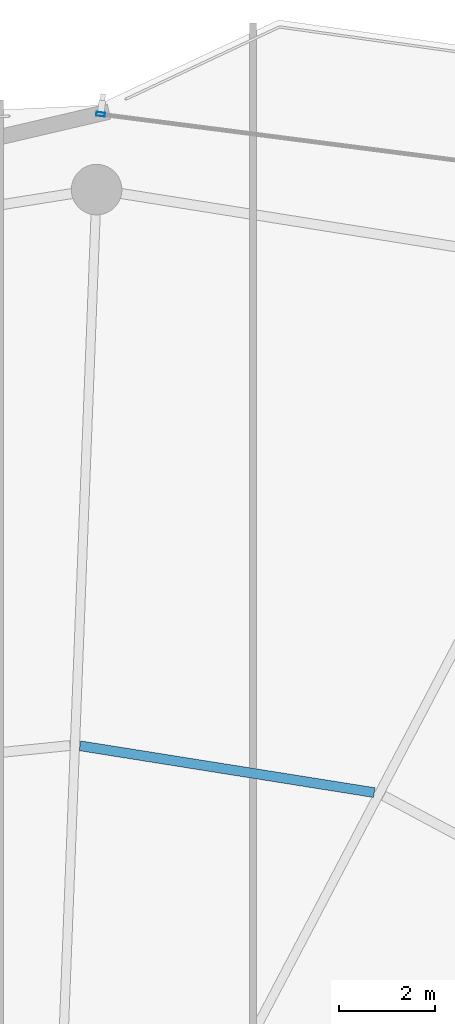
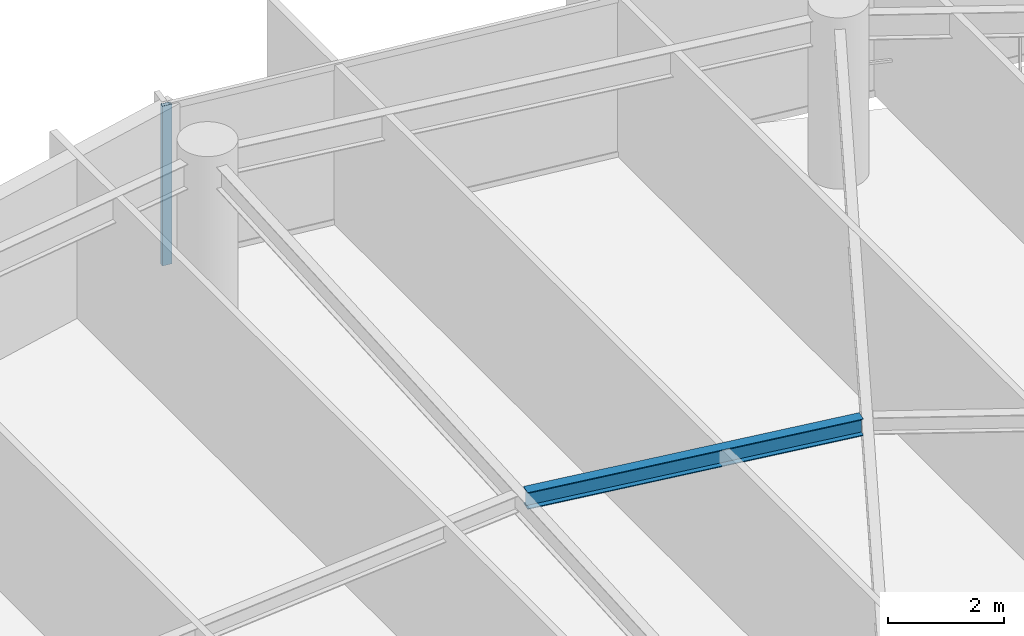
# One storey, part 20 of 31: 1 beam, 1 member, 1 element without a shape of its own.
"""IFC4 building model written with IfcOpenShell, lengths in metres."""

import ifcopenshell
import ifcopenshell.guid

model = None  # the IFC model being written
_history = None  # IfcOwnerHistory: only IFC2X3 demands one
_inside = {}  # id of a spatial element -> (the spatial element, [elements in it])
_under = {}  # id of a project, library or spatial element -> (it, [spatial elements below it])
_declared = {}  # id of a project -> (the project, [libraries it declares])
_typed = {}  # id of a type object -> (the type object, [elements of that type])
_made_of = {}  # id of a material, layer set ... -> (it, [elements and type objects made of it])


def new_model(schema):
    """Start an empty IFC model of exactly this schema.

    Asked for "IFC4X3", IfcOpenShell would pick the latest addendum, in which some entities
    have other attributes; the version numbers below select the first issue.
    IFC2X3 requires an IfcOwnerHistory on every rooted entity: one is made here for all.
    """
    global model, _history
    if schema == "IFC4X3":
        model = ifcopenshell.file(schema_version=(4, 3, 0, 0))
    else:
        model = ifcopenshell.file(schema=schema)
    _inside.clear()
    _under.clear()
    _declared.clear()
    _typed.clear()
    _made_of.clear()
    _history = None
    if model.schema == "IFC2X3":
        org = make("IfcOrganization", Name="unknown")
        user = make(
            "IfcPersonAndOrganization",
            ThePerson=make("IfcPerson", FamilyName="unknown"),
            TheOrganization=org,
        )
        app = make(
            "IfcApplication",
            ApplicationDeveloper=org,
            Version="unknown",
            ApplicationFullName="unknown",
            ApplicationIdentifier="unknown",
        )
        _history = make(
            "IfcOwnerHistory",
            OwningUser=user,
            OwningApplication=app,
            ChangeAction="ADDED",
            CreationDate=0,
        )
    return model


def make(cls, **values):
    """One entity of the class cls with the attributes given. An attribute that is None is left unset."""
    return model.create_entity(
        cls, **{name: value for name, value in values.items() if value is not None}
    )


def rooted(cls, **values):
    """An entity with a GlobalId (a new one), such as an element, a storey or a relation."""
    return make(cls, GlobalId=ifcopenshell.guid.new(), OwnerHistory=_history, **values)


def si_unit(unit_type, name, prefix=None):
    """IfcSIUnit, for example si_unit("LENGTHUNIT", "METRE", prefix="MILLI")."""
    return make("IfcSIUnit", UnitType=unit_type, Prefix=prefix, Name=name)


def assignment(units):
    """IfcUnitAssignment: the units of a project."""
    return None if units is None else make("IfcUnitAssignment", Units=units)


def point(xyz):
    """IfcCartesianPoint."""
    return None if xyz is None else make("IfcCartesianPoint", Coordinates=xyz)


def direction(xyz):
    """IfcDirection."""
    return None if xyz is None else make("IfcDirection", DirectionRatios=xyz)


def frame(location, z_axis=None, x_axis=None):
    """IfcAxis2Placement3D, a coordinate frame: its origin and axes. An axis left out is left unset."""
    return make(
        "IfcAxis2Placement3D",
        Location=point(location),
        Axis=direction(z_axis),
        RefDirection=direction(x_axis),
    )


def frame_2d(location, x_axis=None):
    """IfcAxis2Placement2D, a coordinate frame in the plane: its origin and x axis."""
    return make(
        "IfcAxis2Placement2D", Location=point(location), RefDirection=direction(x_axis)
    )


def origin():
    """The frame at (0, 0, 0) with its axes left unset."""
    return frame((0.0, 0.0, 0.0))


def origin_2d():
    """The frame at (0, 0) in the plane with its x axis left unset."""
    return frame_2d((0.0, 0.0))


def place(relative_to, where):
    """IfcLocalPlacement: puts the frame where relative to a parent placement (None: the world)."""
    return make(
        "IfcLocalPlacement", PlacementRelTo=relative_to, RelativePlacement=where
    )


def context(
    kind, dimensions, precision=None, world=None, true_north=None, identifier=None
):
    """IfcGeometricRepresentationContext, for example the 3D "Model" context."""
    return make(
        "IfcGeometricRepresentationContext",
        ContextIdentifier=identifier,
        ContextType=kind,
        CoordinateSpaceDimension=dimensions,
        Precision=precision,
        WorldCoordinateSystem=world,
        TrueNorth=true_north,
    )


def subcontext(parent, identifier, kind, view, scale=None):
    """IfcGeometricRepresentationSubContext, for example "Body" below "Model"."""
    return make(
        "IfcGeometricRepresentationSubContext",
        ContextIdentifier=identifier,
        ContextType=kind,
        ParentContext=parent,
        TargetScale=scale,
        TargetView=view,
    )


def project(units=None, contexts=None):
    """IfcProject with its units and contexts."""
    return rooted(
        "IfcProject",
        Name="project",
        RepresentationContexts=contexts,
        UnitsInContext=assignment(units),
    )


def spatial(cls, under=None, at=None, **own):
    """A site, building, storey or space (cls), placed at a placement, below another one or the project."""
    s = rooted(cls, ObjectPlacement=at, **own)
    if under is not None:
        _under.setdefault(under.id(), (under, []))[1].append(s)
    return s


def profile(cls, at=None, kind="AREA", **sizes):
    """A parametric profile (cls). Its sizes go by their IFC names, for example OverallWidth=200.0."""
    return make(cls, ProfileType=kind, Position=at, **sizes)


def hollow_rectangle(**sizes):
    """IfcRectangleHollowProfileDef."""
    return profile("IfcRectangleHollowProfileDef", **sizes)


def i_section(**sizes):
    """IfcIShapeProfileDef."""
    return profile("IfcIShapeProfileDef", **sizes)


def extrude(swept, where, along, depth):
    """IfcExtrudedAreaSolid: the profile swept, set in the frame where, extruded along a direction by depth."""
    return make(
        "IfcExtrudedAreaSolid",
        SweptArea=swept,
        Position=where,
        ExtrudedDirection=direction(along),
        Depth=depth,
    )


def shape(context_of_items, identifier, shape_type, items):
    """IfcShapeRepresentation: the items that make up one representation, for example the "Body"."""
    return make(
        "IfcShapeRepresentation",
        ContextOfItems=context_of_items,
        RepresentationIdentifier=identifier,
        RepresentationType=shape_type,
        Items=items,
    )


def material(Name=None, Category=None):
    """IfcMaterial."""
    return make("IfcMaterial", Name=Name, Category=Category)


def layer(
    of_material, thickness, ventilated=None, Name=None, Category=None, Priority=None
):
    """IfcMaterialLayer: one layer of a wall or slab, of a material (None: an air gap)."""
    return make(
        "IfcMaterialLayer",
        Material=of_material,
        LayerThickness=thickness,
        IsVentilated=ventilated,
        Name=Name,
        Category=Category,
        Priority=Priority,
    )


def layer_set(layers, Name=None):
    """IfcMaterialLayerSet."""
    return make("IfcMaterialLayerSet", MaterialLayers=layers, LayerSetName=Name)


def material_profile(
    of_material, cross_section, Name=None, Category=None, Priority=None
):
    """IfcMaterialProfile: a cross section and its material."""
    return make(
        "IfcMaterialProfile",
        Name=Name,
        Material=of_material,
        Profile=cross_section,
        Priority=Priority,
        Category=Category,
    )


def profile_set(profiles, Name=None, composite=None):
    """IfcMaterialProfileSet."""
    return make(
        "IfcMaterialProfileSet",
        Name=Name,
        MaterialProfiles=profiles,
        CompositeProfile=composite,
    )


def made_of(thing, what):
    """Note that an element or type object is made of a material, layer set ...; save() writes the relation."""
    if what is not None:
        _made_of.setdefault(what.id(), (what, []))[1].append(thing)
    return thing


def type_object(cls, material=None, **own):
    """A type object (cls), such as IfcWallType, which elements share."""
    return made_of(rooted(cls, **own), material)


def element(
    cls,
    number,
    at=None,
    inside=None,
    cuts=None,
    type_object=None,
    material=None,
    context=None,
    identifier="Body",
    shape_type=None,
    held_by="IfcProductDefinitionShape",
    body=None,
    shapes=None,
    **own,
):
    """One element of the class cls, such as IfcWall. Its Tag is "e" and its number.

    at: its placement. inside: the storey or other place that contains it. cuts: it is an
    opening in that element (IfcRelVoidsElement). A single representation is given by context,
    identifier, shape_type and body (its items); several are given by shapes. held_by: the class
    of the entity that holds the representations. save() writes the other relations.
    """
    e = rooted(cls, Tag="e%d" % number, ObjectPlacement=at, **own)
    if body is not None:
        shapes = [shape(context, identifier, shape_type, body)]
    if shapes is not None:
        e.Representation = make(held_by, Representations=shapes)
    if inside is not None:
        _inside.setdefault(inside.id(), (inside, []))[1].append(e)
    if cuts is not None:
        rooted(
            "IfcRelVoidsElement", RelatingBuildingElement=cuts, RelatedOpeningElement=e
        )
    if type_object is not None:
        _typed.setdefault(type_object.id(), (type_object, []))[1].append(e)
    return made_of(e, material)


def aggregate(whole, parts):
    """IfcRelAggregates: a whole, such as a stair, and the parts it consists of."""
    return rooted("IfcRelAggregates", RelatingObject=whole, RelatedObjects=parts)


def save(model, path):
    """Write the relations noted so far, then the file.

    IfcRelAggregates (storeys below a building ...), IfcRelContainedInSpatialStructure (elements
    in a storey), IfcRelDefinesByType, IfcRelAssociatesMaterial and IfcRelDeclares: one each for
    every whole, place, type object, material and project.
    """
    for whole, parts in _under.values():
        aggregate(whole, parts)
    for where, things in _inside.values():
        rooted(
            "IfcRelContainedInSpatialStructure",
            RelatedElements=things,
            RelatingStructure=where,
        )
    for kind, things in _typed.values():
        rooted("IfcRelDefinesByType", RelatedObjects=things, RelatingType=kind)
    for what, things in _made_of.values():
        rooted("IfcRelAssociatesMaterial", RelatedObjects=things, RelatingMaterial=what)
    for by, libraries in _declared.values():
        rooted("IfcRelDeclares", RelatingContext=by, RelatedDefinitions=libraries)
    model.write(path)


model = new_model("IFC4")

# Units and contexts
model_context = context("Model", 3, precision=1e-05, world=origin(), true_north=direction((0.0, 1.0)))
body_context = subcontext(model_context, "Body", "Model", "MODEL_VIEW")
ifc_project = project(units=[si_unit("LENGTHUNIT", "METRE"), si_unit("AREAUNIT", "SQUARE_METRE"), si_unit("VOLUMEUNIT", "CUBIC_METRE"), si_unit("PLANEANGLEUNIT", "RADIAN"), si_unit("MASSUNIT", "GRAM", prefix="KILO")], contexts=[model_context])

# Site, building, storey
site_placement = place(None, origin())
site = spatial("IfcSite", under=ifc_project, at=site_placement, CompositionType="ELEMENT")
building_placement = place(site_placement, origin())
building = spatial("IfcBuilding", under=site, at=building_placement, Name="Kazevale Care Tower and Concert Hall", CompositionType="ELEMENT")
storey_placement = place(building_placement, frame((0.0, 0.0, 238.800048828125)))
storey = spatial("IfcBuildingStorey", under=building, at=storey_placement, Name="L63", CompositionType="ELEMENT", Elevation=238.800048828125)

# Curtain wall, member
ifc_material_1 = material(Name="Aluminium 6063-T6 and Low-E Glass", Category="aluminium")
ifc_layer = layer(ifc_material_1, 0.179931640625)
ifc_layer_set = layer_set([ifc_layer], Name="Aluminium 6063-T6 and Low-E Glass")
curtain_wall_type = type_object("IfcCurtainWallType", Name="Waist & Upper Residential Curtain Wall CW-4", PredefinedType="NOTDEFINED", material=ifc_layer_set)
curtain_wall_placement = place(storey_placement, origin())
curtain_wall = element("IfcCurtainWall", 1, at=curtain_wall_placement, inside=storey, type_object=curtain_wall_type, Name="cw:L63:f16", PredefinedType="NOTDEFINED")
ifc_material_2 = material(Name="Aluminium 6063-T6", Category="aluminium")
ifc_material_profile_1 = material_profile(ifc_material_2, hollow_rectangle(XDim=0.080078125, YDim=0.179931640625, WallThickness=0.0048828125, at=origin_2d()), Name="ALU80x180x5")
ifc_profile_set_1 = profile_set([ifc_material_profile_1], Name="Aluminium 6063-T6")
member_type = type_object("IfcMemberType", Name="CW-4 Mullion ALU80x180x5", PredefinedType="MULLION", material=ifc_profile_set_1)
member_placement = place(storey_placement, frame((45.083740234375, 63.616943359375, 0.0), z_axis=(0.0, 0.0, 1.0), x_axis=(0.128098132904, 0.991761497713, 0.0)))
member = element("IfcMember", 2, at=member_placement, type_object=member_type, Name="CW-4 mullion 1", PredefinedType="MULLION", context=body_context, shape_type="SweptSolid", body=[
    extrude(hollow_rectangle(XDim=0.080078125, YDim=0.179931640625, WallThickness=0.0048828125, at=origin_2d()), origin(), (0.0, 0.0, 1.0), 3.35986328125),
])
aggregate(curtain_wall, [member])

# Beam
ifc_material_3 = material(Name="Steel ASTM A572 Gr 50", Category="steel")
ifc_material_profile_2 = material_profile(ifc_material_3, i_section(OverallWidth=0.205078125, OverallDepth=0.35400390625, WebThickness=0.009521484375, FlangeThickness=0.016845703125, at=origin_2d()), Name="W360x79")
ifc_profile_set_2 = profile_set([ifc_material_profile_2], Name="Steel ASTM A572 Gr 50")
beam_type = type_object("IfcBeamType", Name="Secondary Floor Joist W360x79", PredefinedType="JOIST", material=ifc_profile_set_2)
beam_placement = place(storey_placement, frame((50.77099609375, 49.51806640625, 3.182861328125), z_axis=(-0.987586560603, 0.157075731152, 0.0), x_axis=(-0.157075731152, -0.987586560603, 0.0)))
element("IfcBeam", 3, at=beam_placement, inside=storey, type_object=beam_type, Name="beam:L63:joist:04", PredefinedType="JOIST", context=body_context, shape_type="SweptSolid", body=[
    extrude(i_section(OverallWidth=0.205078125, OverallDepth=0.35400390625, WebThickness=0.009521484375, FlangeThickness=0.016845703125, at=origin_2d()), origin(), (0.0, 0.0, 1.0), 6.19384765625),
])

save(model, "model.ifc")
